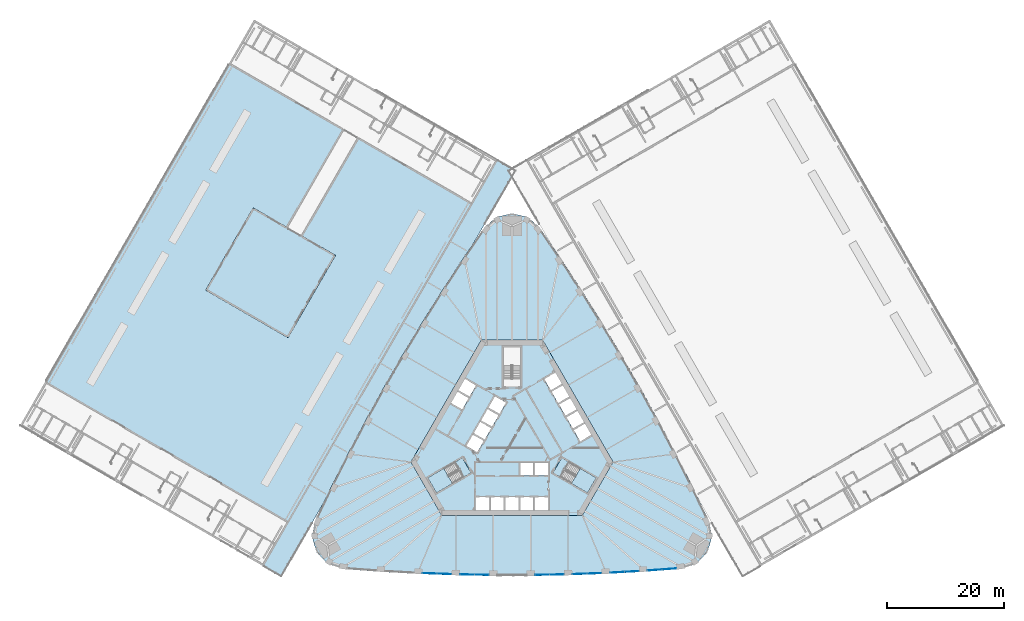
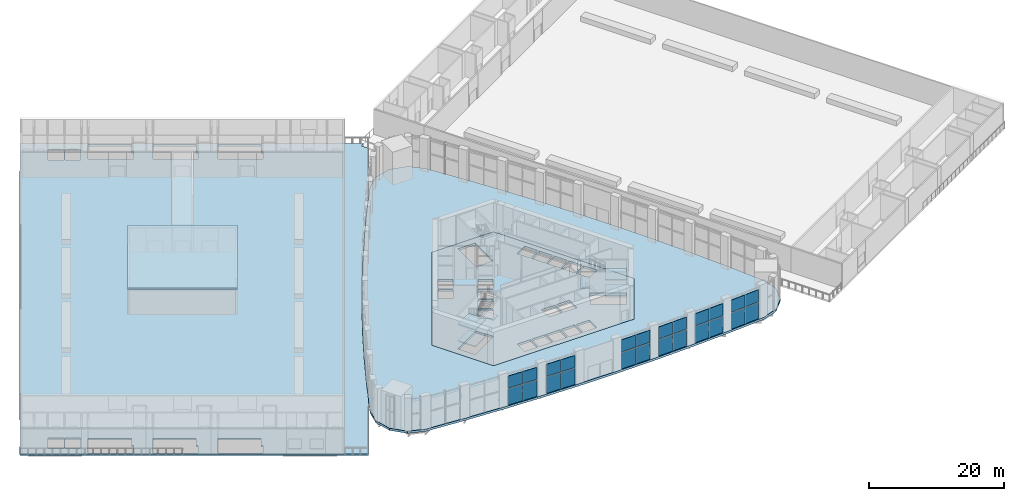
# One storey, part 18 of 41: 24 plates, 10 slabs, 3 elements without a shape of their own.
"""IFC4 building model written with IfcOpenShell, lengths in metres."""

from ifc_helpers import new_model, si_unit, direction, frame, origin, origin_2d, place, context, subcontext, project, spatial, polyline, rectangle, outline, extrude, material, layer, layer_set, type_object, element, aggregate, save


model = new_model("IFC4")

# Units and contexts
model_context = context("Model", 3, precision=1e-05, world=origin(), true_north=direction((0.0, 1.0)))
body_context = subcontext(model_context, "Body", "Model", "MODEL_VIEW")
ifc_project = project(units=[si_unit("LENGTHUNIT", "METRE"), si_unit("AREAUNIT", "SQUARE_METRE"), si_unit("VOLUMEUNIT", "CUBIC_METRE"), si_unit("PLANEANGLEUNIT", "RADIAN"), si_unit("MASSUNIT", "GRAM", prefix="KILO")], contexts=[model_context])

# Site, building, storey
site_placement = place(None, origin())
site = spatial("IfcSite", under=ifc_project, at=site_placement, CompositionType="ELEMENT")
building_placement = place(site_placement, origin())
building = spatial("IfcBuilding", under=site, at=building_placement, Name="Mestral Congress Tower", CompositionType="ELEMENT")
storey_placement = place(building_placement, frame((0.0, 0.0, 21.60009765625)))
storey = spatial("IfcBuildingStorey", under=building, at=storey_placement, Name="L04", CompositionType="ELEMENT", Elevation=21.60009765625)

# Slabs
ifc_material_1 = material(Name="Concrete C35/45", Category="concrete")
ifc_layer_1 = layer(ifc_material_1, 0.39990234375)
ifc_layer_set_1 = layer_set([ifc_layer_1], Name="Concrete C35/45")
slab_type_1 = type_object("IfcSlabType", Name="Composite floor slab 400", PredefinedType="FLOOR", material=ifc_layer_set_1)
placement_1 = place(storey_placement, frame((0.0, 0.0, -0.400146484375)))
element("IfcSlab", 1, at=placement_1, inside=storey, type_object=slab_type_1, Name="SL-L04", PredefinedType="FLOOR", context=body_context, shape_type="SweptSolid", body=[
    extrude(outline(polyline([(-28.8564453125, -22.17529296875), (-31.45849609375, -21.301025390625), (-33.39599609375, -19.28125), (-34.176513671875, -16.59326171875), (-33.6328125, -13.90283203125), (-30.824462890625, -8.084228515625), (-27.93310546875, -2.365478515625), (-24.936279296875, 3.298828125), (-21.835205078125, 8.90673828125), (-18.631103515625, 14.45654296875), (-15.324951171875, 19.946044921875), (-11.91796875, 25.373291015625), (-8.4111328125, 30.737060546875), (-4.776123046875, 36.078125), (-2.718017578125, 37.894287109375), (0.0, 38.562255859375), (2.718017578125, 37.894287109375), (4.776123046875, 36.078125), (8.4111328125, 30.737060546875), (11.91796875, 25.373291015625), (15.324951171875, 19.946044921875), (18.631103515625, 14.45654296875), (21.835205078125, 8.90673828125), (24.936279296875, 3.298828125), (27.93310546875, -2.365478515625), (30.824462890625, -8.084228515625), (33.6328125, -13.90283203125), (34.176513671875, -16.59326171875), (33.39599609375, -19.28125), (31.45849609375, -21.301025390625), (28.8564453125, -22.17529296875), (22.41357421875, -22.652587890625), (16.01513671875, -23.0078125), (9.611083984375, -23.244873046875), (3.2041015625, -23.36328125), (-3.2041015625, -23.36328125), (-9.611083984375, -23.244873046875), (-16.01513671875, -23.0078125), (-22.41357421875, -22.652587890625), (-28.8564453125, -22.17529296875)]), holes=[polyline([(-5.25390625, 16.89990234375), (-17.2626953125, -3.89990234375), (-12.0087890625, -13.0), (12.0087890625, -13.0), (17.2626953125, -3.89990234375), (5.25390625, 16.89990234375), (-5.25390625, 16.89990234375)])]), origin(), (0.0, 0.0, 1.0), 0.400146484375),
])
ifc_material_2 = material(Name="Concrete C60/75", Category="concrete")
ifc_layer_2 = layer(ifc_material_2, 0.39990234375)
ifc_layer_set_2 = layer_set([ifc_layer_2], Name="Concrete C60/75")
slab_type_2 = type_object("IfcSlabType", Name="Core floor slab RC 400", PredefinedType="FLOOR", material=ifc_layer_set_2)
element("IfcSlab", 2, at=placement_1, inside=storey, type_object=slab_type_2, Name="L04 core floor", PredefinedType="FLOOR", context=body_context, shape_type="SweptSolid", body=[
    extrude(outline(polyline([(12.0087890625, -13.0), (-12.0087890625, -13.0), (-17.2626953125, -3.89990234375), (-5.25390625, 16.89990234375), (5.25390625, 16.89990234375), (17.2626953125, -3.89990234375), (12.0087890625, -13.0)]), holes=[polyline([(-3.905029296875, -9.89990234375), (-6.175048828125, -9.89990234375), (-6.175048828125, -12.10009765625), (-3.905029296875, -12.10009765625), (-3.905029296875, -9.89990234375)]), polyline([(-1.385009765625, -9.89990234375), (-3.655029296875, -9.89990234375), (-3.655029296875, -12.10009765625), (-1.385009765625, -12.10009765625), (-1.385009765625, -9.89990234375)]), polyline([(1.135009765625, -9.89990234375), (-1.135009765625, -9.89990234375), (-1.135009765625, -12.10009765625), (1.135009765625, -12.10009765625), (1.135009765625, -9.89990234375)]), polyline([(-9.0673828125, -5.235107421875), (-9.8046875, -3.95751953125), (-14.37744140625, -6.59765625), (-12.90234375, -9.15234375), (-8.234619140625, -6.45751953125), (-8.971923828125, -5.179931640625), (-9.0673828125, -5.235107421875)]), polyline([(-7.826904296875, -1.156494140625), (-5.921630859375, -2.256591796875), (-4.78662109375, -0.29052734375), (-6.69189453125, 0.809326171875), (-7.826904296875, -1.156494140625)]), polyline([(-4.66162109375, -0.07421875), (-3.526611328125, 1.8916015625), (-5.431884765625, 2.99169921875), (-6.56689453125, 1.02587890625), (-4.66162109375, -0.07421875)]), polyline([(-3.401611328125, 2.1083984375), (-2.2666015625, 4.07421875), (-4.171875, 5.174072265625), (-5.306884765625, 3.208251953125), (-3.401611328125, 2.1083984375)]), polyline([(-2.1416015625, 4.29052734375), (-1.006591796875, 6.256591796875), (-2.911865234375, 7.3564453125), (-4.046875, 5.390625), (-2.1416015625, 4.29052734375)]), polyline([(-10.41650390625, 6.158203125), (-8.51123046875, 5.058349609375), (-7.376220703125, 7.024169921875), (-9.281494140625, 8.1240234375), (-10.41650390625, 6.158203125)]), polyline([(-9.156494140625, 8.340576171875), (-7.251220703125, 7.240478515625), (-6.1162109375, 9.20654296875), (-8.021484375, 10.306396484375), (-9.156494140625, 8.340576171875)]), polyline([(1.47509765625, 10.469970703125), (1.47509765625, 15.75), (-1.47509765625, 15.75), (-1.47509765625, 10.360107421875), (0.0, 10.360107421875), (0.0, 10.469970703125), (1.47509765625, 10.469970703125)]), polyline([(3.655029296875, -9.89990234375), (1.385009765625, -9.89990234375), (1.385009765625, -12.10009765625), (3.655029296875, -12.10009765625), (3.655029296875, -9.89990234375)]), polyline([(6.175048828125, -9.89990234375), (3.905029296875, -9.89990234375), (3.905029296875, -12.10009765625), (6.175048828125, -12.10009765625), (6.175048828125, -9.89990234375)]), polyline([(9.0673828125, -5.235107421875), (8.329833984375, -6.512451171875), (12.90234375, -9.15234375), (14.37744140625, -6.59765625), (9.70947265625, -3.902587890625), (8.971923828125, -5.179931640625), (9.0673828125, -5.235107421875)]), polyline([(3.655029296875, -6.199951171875), (3.655029296875, -4.0), (1.385009765625, -4.0), (1.385009765625, -6.199951171875), (3.655029296875, -6.199951171875)]), polyline([(6.175048828125, -4.0), (3.905029296875, -4.0), (3.905029296875, -6.199951171875), (6.175048828125, -6.199951171875), (6.175048828125, -4.0)]), polyline([(12.431396484375, 2.668212890625), (10.526123046875, 1.568115234375), (11.6611328125, -0.397705078125), (13.56640625, 0.702392578125), (12.431396484375, 2.668212890625)]), polyline([(11.17138671875, 4.8505859375), (9.26611328125, 3.75048828125), (10.401123046875, 1.78466796875), (12.306396484375, 2.884765625), (11.17138671875, 4.8505859375)]), polyline([(8.006103515625, 5.932861328125), (9.14111328125, 3.967041015625), (11.04638671875, 5.067138671875), (9.911376953125, 7.032958984375), (8.006103515625, 5.932861328125)]), polyline([(8.6513671875, 9.21533203125), (6.74609375, 8.115234375), (7.881103515625, 6.1494140625), (9.786376953125, 7.24951171875), (8.6513671875, 9.21533203125)]), polyline([(7.391357421875, 11.397705078125), (5.486083984375, 10.297607421875), (6.62109375, 8.331787109375), (8.5263671875, 9.431884765625), (7.391357421875, 11.397705078125)])]), origin(), (0.0, 0.0, 1.0), 0.400146484375),
])

# Stair, slabs
stair_type = type_object("IfcStairType", Name="Exit stair 1400", PredefinedType="HALF_TURN_STAIR", material=ifc_material_2)
placement_2 = place(storey_placement, origin())
stair_1 = element("IfcStair", 3, at=placement_2, inside=storey, type_object=stair_type, Name="L04 ST1", PredefinedType="HALF_TURN_STAIR")
ifc_layer_3 = layer(ifc_material_2, 0.199951171875)
ifc_layer_set_3 = layer_set([ifc_layer_3], Name="Concrete C60/75")
slab_type_3 = type_object("IfcSlabType", Name="Exit stair landing 200", PredefinedType="LANDING", material=ifc_layer_set_3)
placement_3 = place(storey_placement, frame((0.0, 0.0, 1.2998046875)))
slab_3 = element("IfcSlab", 4, at=placement_3, type_object=slab_type_3, Name="ST1 landing 1", PredefinedType="LANDING", context=body_context, shape_type="SweptSolid", body=[
    extrude(outline(polyline([(10.152099609375, -7.575927734375), (11.63720703125, -5.00390625), (14.39111328125, -6.593994140625), (12.906005859375, -9.166015625), (10.152099609375, -7.575927734375)])), origin(), (0.0, 0.0, 1.0), 0.2001953125),
])
placement_4 = place(storey_placement, frame((0.0, 0.0, 2.7998046875)))
slab_4 = element("IfcSlab", 5, at=placement_4, type_object=slab_type_3, Name="ST1 landing 2", PredefinedType="LANDING", context=body_context, shape_type="SweptSolid", body=[
    extrude(outline(polyline([(6.999755859375, -5.756103515625), (8.48486328125, -3.18408203125), (9.714599609375, -3.89404296875), (8.2294921875, -6.466064453125), (6.999755859375, -5.756103515625)])), origin(), (0.0, 0.0, 1.0), 0.2001953125),
])
placement_5 = place(storey_placement, frame((0.0, 0.0, 4.2998046875)))
slab_5 = element("IfcSlab", 6, at=placement_5, type_object=slab_type_3, Name="ST1 landing 3", PredefinedType="LANDING", context=body_context, shape_type="SweptSolid", body=[
    extrude(outline(polyline([(10.152099609375, -7.575927734375), (11.63720703125, -5.00390625), (14.39111328125, -6.593994140625), (12.906005859375, -9.166015625), (10.152099609375, -7.575927734375)])), origin(), (0.0, 0.0, 1.0), 0.2001953125),
])
aggregate(stair_1, [slab_3, slab_4, slab_5])

stair_2 = element("IfcStair", 7, at=placement_2, inside=storey, type_object=stair_type, Name="L04 ST3", PredefinedType="HALF_TURN_STAIR")
slab_6 = element("IfcSlab", 8, at=placement_3, type_object=slab_type_3, Name="ST3 landing 1", PredefinedType="LANDING", context=body_context, shape_type="SweptSolid", body=[
    extrude(outline(polyline([(-11.63720703125, -5.00390625), (-10.152099609375, -7.575927734375), (-12.906005859375, -9.166015625), (-14.39111328125, -6.593994140625), (-11.63720703125, -5.00390625)])), origin(), (0.0, 0.0, 1.0), 0.2001953125),
])
slab_7 = element("IfcSlab", 9, at=placement_4, type_object=slab_type_3, Name="ST3 landing 2", PredefinedType="LANDING", context=body_context, shape_type="SweptSolid", body=[
    extrude(outline(polyline([(-8.48486328125, -3.18408203125), (-6.999755859375, -5.756103515625), (-8.2294921875, -6.466064453125), (-9.714599609375, -3.89404296875), (-8.48486328125, -3.18408203125)])), origin(), (0.0, 0.0, 1.0), 0.2001953125),
])
slab_8 = element("IfcSlab", 10, at=placement_5, type_object=slab_type_3, Name="ST3 landing 3", PredefinedType="LANDING", context=body_context, shape_type="SweptSolid", body=[
    extrude(outline(polyline([(-11.63720703125, -5.00390625), (-10.152099609375, -7.575927734375), (-12.906005859375, -9.166015625), (-14.39111328125, -6.593994140625), (-11.63720703125, -5.00390625)])), origin(), (0.0, 0.0, 1.0), 0.2001953125),
])
aggregate(stair_2, [slab_6, slab_7, slab_8])

# Curtain wall, plates
ifc_material_3 = material(Name="Clear low-emissivity double glazing", Category="glass")
curtain_wall_type = type_object("IfcCurtainWallType", Name="Facade arrival lobby curtain wall", PredefinedType="USERDEFINED", material=ifc_material_3)
curtain_wall = element("IfcCurtainWall", 11, at=placement_2, inside=storey, type_object=curtain_wall_type, Name="Facade arrival lobby curtain wall face 1", ObjectType="CURTAIN WALL", PredefinedType="USERDEFINED")
ifc_layer_4 = layer(ifc_material_3, 0.030029296875)
ifc_layer_set_4 = layer_set([ifc_layer_4], Name="Clear low-emissivity double glazing")
plate_type = type_object("IfcPlateType", Name="Facade arrival lobby curtain wall panel", PredefinedType="CURTAIN_PANEL", material=ifc_layer_set_4)
plate_1_placement = place(storey_placement, frame((-14.041259765625, -22.930908203125, 0.0), z_axis=(0.0, 0.0, 1.0), x_axis=(0.999316445429, -0.036968119987, 0.0)))
plate_1 = element("IfcPlate", 12, at=plate_1_placement, type_object=plate_type, Name="Arrival lobby glass unit", PredefinedType="CURTAIN_PANEL", context=body_context, shape_type="SweptSolid", body=[
    extrude(rectangle(XDim=2.4091796875, YDim=0.030029296875, at=origin_2d()), origin(), (0.0, 0.0, 1.0), 2.929931640625),
])
plate_2_placement = place(storey_placement, frame((-12.838134765625, -22.989990234375, 3.06982421875), z_axis=(-0.036987223097, -0.999313700192, 0.002018399307), x_axis=(-0.999315735768, 0.036987298447, 3.783e-09)))
plate_2 = element("IfcPlate", 13, at=plate_2_placement, type_object=plate_type, Name="Arrival lobby glass unit", PredefinedType="CURTAIN_PANEL", context=body_context, shape_type="SweptSolid", body=[
    extrude(outline(polyline([(0.0, 0.0), (2.4091193443216956, -2.710505431213761e-20), (2.4092818943993755, -2.1779829429970454), (-8.142349062272946e-05, -2.1779829612243202), (0.0, 0.0)])), origin(), (0.0, 0.0, -1.0), 0.030029296875),
])
plate_3_placement = place(storey_placement, frame((-11.573974609375, -23.022216796875, 0.0), z_axis=(0.0, 0.0, 1.0), x_axis=(0.999316445429, -0.036968119987, 0.0)))
plate_3 = element("IfcPlate", 14, at=plate_3_placement, type_object=plate_type, Name="Arrival lobby glass unit", PredefinedType="CURTAIN_PANEL", context=body_context, shape_type="SweptSolid", body=[
    extrude(rectangle(XDim=2.4091796875, YDim=0.030029296875, at=origin_2d()), origin(), (0.0, 0.0, 1.0), 2.929931640625),
])
plate_4_placement = place(storey_placement, frame((-10.37060546875, -23.081298828125, 3.06982421875), z_axis=(-0.036987223097, -0.999313700192, 0.002018399307), x_axis=(-0.999315735769, 0.036987298431, -3.782e-09)))
plate_4 = element("IfcPlate", 15, at=plate_4_placement, type_object=plate_type, Name="Arrival lobby glass unit", PredefinedType="CURTAIN_PANEL", context=body_context, shape_type="SweptSolid", body=[
    extrude(outline(polyline([(0.0, 0.0), (2.4093633178899987, 0.0), (2.4092818779225356, -2.1779829612237043), (0.0001625336008401005, -2.177982942998275), (0.0, 0.0)])), origin(), (0.0, 0.0, -1.0), 0.030029296875),
])
plate_5_placement = place(storey_placement, frame((-7.63916015625, -23.131103515625, 0.0), z_axis=(0.0, 0.0, 1.0), x_axis=(0.999829290296, -0.018476749332, 0.0)))
plate_5 = element("IfcPlate", 16, at=plate_5_placement, type_object=plate_type, Name="Arrival lobby glass unit", PredefinedType="CURTAIN_PANEL", context=body_context, shape_type="SweptSolid", body=[
    extrude(rectangle(XDim=2.4091796875, YDim=0.030029296875, at=origin_2d()), origin(), (0.0, 0.0, 1.0), 2.929931640625),
])
plate_6_placement = place(storey_placement, frame((-6.43505859375, -23.168212890625, 3.06982421875), z_axis=(-0.018545322861, -0.999825985489, 0.002017359908), x_axis=(-0.999828020012, 0.018545360598, 0.0)))
plate_6 = element("IfcPlate", 17, at=plate_6_placement, type_object=plate_type, Name="Arrival lobby glass unit", PredefinedType="CURTAIN_PANEL", context=body_context, shape_type="SweptSolid", body=[
    extrude(outline(polyline([(0.0, 0.0), (2.409105724224548, 0.0), (2.40918722239124, -2.177982947542757), (8.149816669143261e-05, -2.177982947542757), (0.0, 0.0)])), origin(), (0.0, 0.0, -1.0), 0.030029296875),
])
plate_7_placement = place(storey_placement, frame((-5.17041015625, -23.1767578125, 0.0), z_axis=(0.0, 0.0, 1.0), x_axis=(0.999829290296, -0.018476749332, 0.0)))
plate_7 = element("IfcPlate", 18, at=plate_7_placement, type_object=plate_type, Name="Arrival lobby glass unit", PredefinedType="CURTAIN_PANEL", context=body_context, shape_type="SweptSolid", body=[
    extrude(rectangle(XDim=2.4091796875, YDim=0.030029296875, at=origin_2d()), origin(), (0.0, 0.0, 1.0), 2.929931640625),
])
plate_8_placement = place(storey_placement, frame((-3.966552734375, -23.213623046875, 3.06982421875), z_axis=(-0.018444016791, -0.999827855254, 0.002019431164), x_axis=(-0.999829893961, 0.018444054399, 0.0)))
plate_8 = element("IfcPlate", 19, at=plate_8_placement, type_object=plate_type, Name="Arrival lobby glass unit", PredefinedType="CURTAIN_PANEL", context=body_context, shape_type="SweptSolid", body=[
    extrude(outline(polyline([(0.0, 0.0), (2.409101208915089, 0.0), (2.408938162793317, -2.177982956648098), (-0.00016304612177199263, -2.177982956648098), (0.0, 0.0)])), origin(), (0.0, 0.0, -1.0), 0.030029296875),
])
plate_9_placement = place(storey_placement, frame((5.17041015625, -23.1767578125, 0.0), z_axis=(0.0, 0.0, 1.0), x_axis=(0.999829290296, 0.018476749332, 0.0)))
plate_9 = element("IfcPlate", 20, at=plate_9_placement, type_object=plate_type, Name="Arrival lobby glass unit", PredefinedType="CURTAIN_PANEL", context=body_context, shape_type="SweptSolid", body=[
    extrude(rectangle(XDim=2.4091796875, YDim=0.030029296875, at=origin_2d()), origin(), (0.0, 0.0, 1.0), 2.929931640625),
])
plate_10_placement = place(storey_placement, frame((6.375244140625, -23.169189453125, 3.06982421875), z_axis=(0.018444016791, -0.999827855254, 0.002019431164), x_axis=(-0.999829893961, -0.018444054399, 0.0)))
plate_10 = element("IfcPlate", 21, at=plate_10_placement, type_object=plate_type, Name="Arrival lobby glass unit", PredefinedType="CURTAIN_PANEL", context=body_context, shape_type="SweptSolid", body=[
    extrude(outline(polyline([(0.0, 0.0), (2.409101208915089, 0.0), (2.4092642550368613, -2.177982956648098), (0.00016304612177199263, -2.177982956648098), (0.0, 0.0)])), origin(), (0.0, 0.0, -1.0), 0.030029296875),
])
plate_11_placement = place(storey_placement, frame((7.63916015625, -23.131103515625, 0.0), z_axis=(0.0, 0.0, 1.0), x_axis=(0.999829290296, 0.018476749332, 0.0)))
plate_11 = element("IfcPlate", 22, at=plate_11_placement, type_object=plate_type, Name="Arrival lobby glass unit", PredefinedType="CURTAIN_PANEL", context=body_context, shape_type="SweptSolid", body=[
    extrude(rectangle(XDim=2.4091796875, YDim=0.030029296875, at=origin_2d()), origin(), (0.0, 0.0, 1.0), 2.929931640625),
])
plate_12_placement = place(storey_placement, frame((8.84375, -23.12353515625, 3.06982421875), z_axis=(0.018545322861, -0.999825985489, 0.002017359908), x_axis=(-0.999828020012, -0.018545360598, 0.0)))
plate_12 = element("IfcPlate", 23, at=plate_12_placement, type_object=plate_type, Name="Arrival lobby glass unit", PredefinedType="CURTAIN_PANEL", context=body_context, shape_type="SweptSolid", body=[
    extrude(outline(polyline([(0.0, 0.0), (2.409105724224548, 0.0), (2.409024226057857, -2.177982947542757), (-8.149816669143261e-05, -2.177982947542757), (0.0, 0.0)])), origin(), (0.0, 0.0, -1.0), 0.030029296875),
])
plate_13_placement = place(storey_placement, frame((11.573974609375, -23.022216796875, 0.0), z_axis=(0.0, 0.0, 1.0), x_axis=(0.999316445429, 0.036968119987, 0.0)))
plate_13 = element("IfcPlate", 24, at=plate_13_placement, type_object=plate_type, Name="Arrival lobby glass unit", PredefinedType="CURTAIN_PANEL", context=body_context, shape_type="SweptSolid", body=[
    extrude(rectangle(XDim=2.4091796875, YDim=0.030029296875, at=origin_2d()), origin(), (0.0, 0.0, 1.0), 2.929931640625),
])
plate_14_placement = place(storey_placement, frame((12.7783203125, -22.9921875, 3.06982421875), z_axis=(0.036987223097, -0.999313700192, 0.002018399307), x_axis=(-0.999315735769, -0.036987298431, 3.782e-09)))
plate_14 = element("IfcPlate", 25, at=plate_14_placement, type_object=plate_type, Name="Arrival lobby glass unit", PredefinedType="CURTAIN_PANEL", context=body_context, shape_type="SweptSolid", body=[
    extrude(outline(polyline([(0.0, 0.0), (2.4093633178899987, 0.0), (2.4092007842891587, -2.177982942998275), (8.143996746278232e-05, -2.1779829612237043), (0.0, 0.0)])), origin(), (0.0, 0.0, -1.0), 0.030029296875),
])
plate_15_placement = place(storey_placement, frame((14.041259765625, -22.930908203125, 0.0), z_axis=(0.0, 0.0, 1.0), x_axis=(0.999316445429, 0.036968119987, 0.0)))
plate_15 = element("IfcPlate", 26, at=plate_15_placement, type_object=plate_type, Name="Arrival lobby glass unit", PredefinedType="CURTAIN_PANEL", context=body_context, shape_type="SweptSolid", body=[
    extrude(rectangle(XDim=2.4091796875, YDim=0.030029296875, at=origin_2d()), origin(), (0.0, 0.0, 1.0), 2.929931640625),
])
plate_16_placement = place(storey_placement, frame((15.24560546875, -22.90087890625, 3.06982421875), z_axis=(0.036987223097, -0.999313700192, 0.002018399307), x_axis=(-0.999315735768, -0.036987298447, -3.783e-09)))
plate_16 = element("IfcPlate", 27, at=plate_16_placement, type_object=plate_type, Name="Arrival lobby glass unit", PredefinedType="CURTAIN_PANEL", context=body_context, shape_type="SweptSolid", body=[
    extrude(outline(polyline([(0.0, 0.0), (2.4091193443216956, 2.710505431213761e-20), (2.409200767812319, -2.1779829612243202), (-0.00016255007768001546, -2.1779829429970454), (0.0, 0.0)])), origin(), (0.0, 0.0, -1.0), 0.030029296875),
])
plate_17_placement = place(storey_placement, frame((17.973388671875, -22.7490234375, 0.0), z_axis=(0.0, 0.0, 1.0), x_axis=(0.99846270499, 0.055427671282, 0.0)))
plate_17 = element("IfcPlate", 28, at=plate_17_placement, type_object=plate_type, Name="Arrival lobby glass unit", PredefinedType="CURTAIN_PANEL", context=body_context, shape_type="SweptSolid", body=[
    extrude(rectangle(XDim=2.4091796875, YDim=0.030029296875, at=origin_2d()), origin(), (0.0, 0.0, 1.0), 2.929931640625),
])
plate_18_placement = place(storey_placement, frame((19.1767578125, -22.69677734375, 3.06982421875), z_axis=(0.055436228294, -0.998460184928, 0.002020818244), x_axis=(-0.998462223643, -0.055436341487, 0.0)))
plate_18 = element("IfcPlate", 29, at=plate_18_placement, type_object=plate_type, Name="Arrival lobby glass unit", PredefinedType="CURTAIN_PANEL", context=body_context, shape_type="SweptSolid", body=[
    extrude(outline(polyline([(0.0, 0.0), (2.4089779067691066, 0.0), (2.4089780552253743, -2.177982962750997), (1.4845626755125016e-07, -2.177982962750997), (0.0, 0.0)])), origin(), (0.0, 0.0, -1.0), 0.030029296875),
])
plate_19_placement = place(storey_placement, frame((20.438720703125, -22.612060546875, 0.0), z_axis=(0.0, 0.0, 1.0), x_axis=(0.99846270499, 0.055427671282, 0.0)))
plate_19 = element("IfcPlate", 30, at=plate_19_placement, type_object=plate_type, Name="Arrival lobby glass unit", PredefinedType="CURTAIN_PANEL", context=body_context, shape_type="SweptSolid", body=[
    extrude(rectangle(XDim=2.4091796875, YDim=0.030029296875, at=origin_2d()), origin(), (0.0, 0.0, 1.0), 2.929931640625),
])
plate_20_placement = place(storey_placement, frame((21.64208984375, -22.559814453125, 3.06982421875), z_axis=(0.055486751511, -0.998457490203, 0.001964857396), x_axis=(-0.998459417552, -0.055486858814, -9.9411e-08)))
plate_20 = element("IfcPlate", 31, at=plate_20_placement, type_object=plate_type, Name="Arrival lobby glass unit", PredefinedType="CURTAIN_PANEL", context=body_context, shape_type="SweptSolid", body=[
    extrude(outline(polyline([(0.0, 0.0), (2.4089914502821443, 0.0), (2.408991159537854, -2.177982959340665), (1.3255852099265405e-05, -2.177982480379519), (0.0, 0.0)])), origin(), (0.0, 0.0, -1.0), 0.030029296875),
])
plate_21_placement = place(storey_placement, frame((24.368408203125, -22.357421875, 0.0), z_axis=(0.0, 0.0, 1.0), x_axis=(0.997267232005, 0.073878738281, 0.0)))
plate_21 = element("IfcPlate", 32, at=plate_21_placement, type_object=plate_type, Name="Arrival lobby glass unit", PredefinedType="CURTAIN_PANEL", context=body_context, shape_type="SweptSolid", body=[
    extrude(rectangle(XDim=2.412841796875, YDim=0.030029296875, at=origin_2d()), origin(), (0.0, 0.0, 1.0), 2.929931640625),
])
plate_22_placement = place(storey_placement, frame((25.572509765625, -22.282958984375, 3.06982421875), z_axis=(0.073867806831, -0.99726598661, 0.002024614894), x_axis=(-0.997268030544, -0.073867958241, -7.567e-09)))
plate_22 = element("IfcPlate", 33, at=plate_22_placement, type_object=plate_type, Name="Arrival lobby glass unit", PredefinedType="CURTAIN_PANEL", context=body_context, shape_type="SweptSolid", body=[
    extrude(outline(polyline([(0.0, 0.0), (2.412597668585944, 5.421010862427522e-20), (2.4127599843348895, -2.1779829977343383), (-8.115789132358893e-05, -2.177982961220248), (0.0, 0.0)])), origin(), (0.0, 0.0, -1.0), 0.030029296875),
])
plate_23_placement = place(storey_placement, frame((26.83447265625, -22.1748046875, 0.0), z_axis=(0.0, 0.0, 1.0), x_axis=(0.997267232005, 0.073878738281, 0.0)))
plate_23 = element("IfcPlate", 34, at=plate_23_placement, type_object=plate_type, Name="Arrival lobby glass unit", PredefinedType="CURTAIN_PANEL", context=body_context, shape_type="SweptSolid", body=[
    extrude(rectangle(XDim=2.412841796875, YDim=0.030029296875, at=origin_2d()), origin(), (0.0, 0.0, 1.0), 2.929931640625),
])
plate_24_placement = place(storey_placement, frame((28.038818359375, -22.10009765625, 3.06982421875), z_axis=(0.073914403098, -0.997262637834, 0.001972864586), x_axis=(-0.997264578595, -0.073914547139, -9.9537e-08)))
plate_24 = element("IfcPlate", 35, at=plate_24_placement, type_object=plate_type, Name="Arrival lobby glass unit", PredefinedType="CURTAIN_PANEL", context=body_context, shape_type="SweptSolid", body=[
    extrude(outline(polyline([(0.0, 0.0), (2.412859184715745, -5.421010862427522e-20), (2.413021093733903, -2.1779829943811184), (0.0001799545618932474, -2.1779825140440545), (0.0, 0.0)])), origin(), (0.0, 0.0, -1.0), 0.030029296875),
])
aggregate(curtain_wall, [plate_1, plate_2, plate_3, plate_4, plate_5, plate_6, plate_7, plate_8, plate_9, plate_10, plate_11, plate_12, plate_13, plate_14, plate_15, plate_16, plate_17, plate_18, plate_19, plate_20, plate_21, plate_22, plate_23, plate_24])

# Slabs
ifc_layer_5 = layer(ifc_material_1, 0.300048828125)
ifc_layer_set_5 = layer_set([ifc_layer_5], Name="Concrete C35/45")
slab_type_4 = type_object("IfcSlabType", Name="Garden deck slab 300", PredefinedType="FLOOR", material=ifc_layer_set_5)
slab_9_placement = place(storey_placement, frame((0.0, 0.0, -0.300048828125)))
element("IfcSlab", 36, at=slab_9_placement, inside=storey, type_object=slab_type_4, Name="SL-L04-W-0", PredefinedType="FLOOR", context=body_context, shape_type="SweptSolid", body=[
    extrude(outline(polyline([(-44.0234375, 71.60498046875), (-84.0234375, 2.322998046875), (-42.454345703125, -21.677001953125), (-39.423095703125, -23.427001953125), (-32.146484375, -10.822998046875), (-30.824462890625, -8.084228515625), (-27.93310546875, -2.365478515625), (-24.936279296875, 3.298828125), (-21.835205078125, 8.90673828125), (-18.631103515625, 14.45654296875), (-15.324951171875, 19.946044921875), (-11.91796875, 25.373291015625), (-8.4111328125, 30.737060546875), (-6.69970703125, 33.251708984375), (0.0, 44.85595703125), (-0.576904296875, 45.85498046875), (0.0, 46.18798828125), (-2.454345703125, 47.60498046875), (-44.0234375, 71.60498046875)]), holes=[polyline([(-13.923583984375, 51.859619140625), (-13.99853515625, 51.729736328125), (-14.898681640625, 50.1708984375), (-20.6923828125, 53.515869140625), (-19.792236328125, 55.07470703125), (-19.71728515625, 55.20458984375), (-18.8173828125, 56.763427734375), (-13.274658203125, 53.5634765625), (-14.1748046875, 52.004638671875), (-13.923583984375, 51.859619140625)]), polyline([(-51.798583984375, -13.74169921875), (-51.87353515625, -13.87158203125), (-52.773681640625, -15.430419921875), (-58.5673828125, -12.08544921875), (-57.667236328125, -10.526611328125), (-57.59228515625, -10.396728515625), (-56.6923828125, -8.837890625), (-51.149658203125, -12.037841796875), (-52.0498046875, -13.5966796875), (-51.798583984375, -13.74169921875)]), polyline([(-22.2373046875, 56.65966796875), (-22.3125, 56.52978515625), (-23.21240234375, 54.970947265625), (-29.006103515625, 58.31591796875), (-28.106201171875, 59.874755859375), (-28.031005859375, 60.004638671875), (-27.131103515625, 61.5634765625), (-21.588623046875, 58.363525390625), (-22.488525390625, 56.8046875), (-22.2373046875, 56.65966796875)]), polyline([(-60.363525390625, -8.796875), (-60.1123046875, -8.94189453125), (-60.1875, -9.07177734375), (-61.08740234375, -10.630615234375), (-66.881103515625, -7.285400390625), (-65.981201171875, -5.726806640625), (-65.906005859375, -5.5966796875), (-65.006103515625, -4.037841796875), (-59.463623046875, -7.23779296875), (-60.363525390625, -8.796875)]), polyline([(-30.802490234375, 61.6044921875), (-30.55126953125, 61.459716796875), (-30.626220703125, 61.32958984375), (-31.5263671875, 59.77099609375), (-37.320068359375, 63.115966796875), (-36.419921875, 64.6748046875), (-36.344970703125, 64.8046875), (-35.445068359375, 66.363525390625), (-29.90234375, 63.16357421875), (-30.802490234375, 61.6044921875)]), polyline([(-68.42626953125, -4.141845703125), (-68.501220703125, -4.271728515625), (-69.4013671875, -5.83056640625), (-75.195068359375, -2.485595703125), (-74.294921875, -0.9267578125), (-74.219970703125, -0.796875), (-73.320068359375, 0.76220703125), (-67.77734375, -2.43798828125), (-68.677490234375, -3.996826171875), (-68.42626953125, -4.141845703125)]), polyline([(-38.34765625, 63.535888671875), (-40.339599609375, 64.68603515625), (-38.989501953125, 67.0244140625), (-36.99755859375, 65.874267578125), (-38.34765625, 63.535888671875)]), polyline([(-75.547607421875, -0.896240234375), (-77.53955078125, 0.253662109375), (-76.189453125, 2.592041015625), (-74.197509765625, 1.44189453125), (-75.547607421875, -0.896240234375)]), polyline([(-39.16259765625, 67.124267578125), (-40.5126953125, 64.785888671875), (-42.50439453125, 65.93603515625), (-41.154541015625, 68.2744140625), (-39.16259765625, 67.124267578125)]), polyline([(-76.36279296875, 2.69189453125), (-77.712646484375, 0.353759765625), (-79.70458984375, 1.503662109375), (-78.3544921875, 3.842041015625), (-76.36279296875, 2.69189453125)])]), origin(), (0.0, 0.0, 1.0), 0.300048828125),
])
ifc_layer_6 = layer(ifc_material_1, 0.300048828125)
ifc_layer_set_6 = layer_set([ifc_layer_6], Name="Concrete C35/45")
slab_type_5 = type_object("IfcSlabType", Name="Podium roof slab 300", PredefinedType="ROOF", material=ifc_layer_set_6)
slab_10_placement = place(storey_placement, frame((0.0, 0.0, 4.5)))
element("IfcSlab", 37, at=slab_10_placement, inside=storey, type_object=slab_type_5, Name="Pavilion roof", PredefinedType="ROOF", context=body_context, shape_type="SweptSolid", body=[
    extrude(outline(polyline([(-44.212890625, 39.527099609375), (-52.337890625, 25.4541015625), (-38.264892578125, 17.3291015625), (-30.139892578125, 31.402099609375), (-44.212890625, 39.527099609375)])), origin(), (0.0, 0.0, 1.0), 0.2998046875),
])

save(model, "model.ifc")
